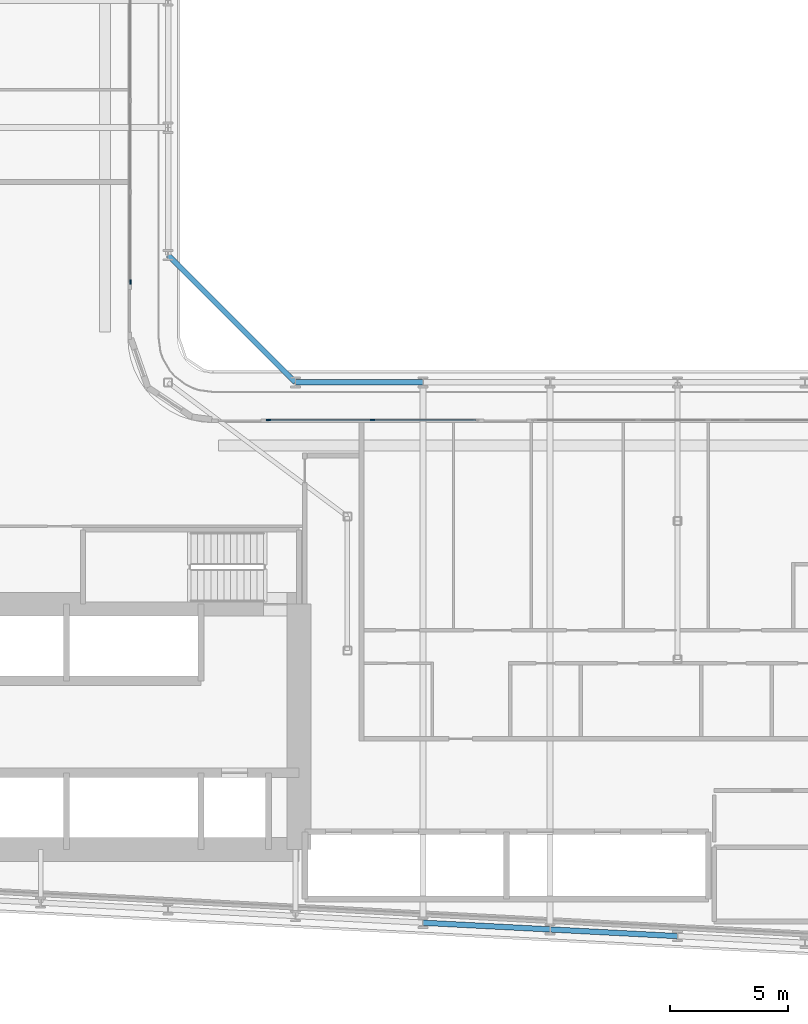
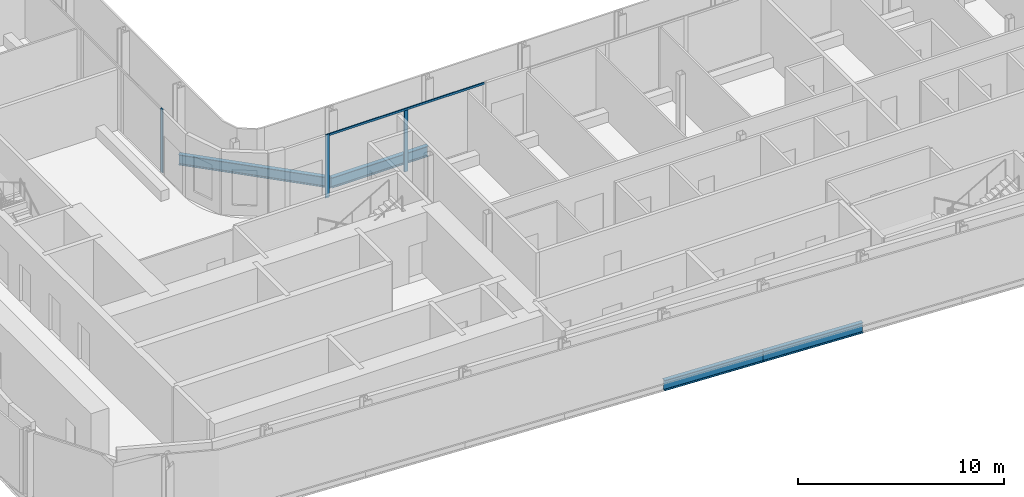
# One storey, part 4 of 27: 4 beams, 4 members, 2 elements without a shape of their own.
"""IFC4 building model written with IfcOpenShell, lengths in metres."""

from ifc_helpers import new_model, si_unit, direction, frame, origin, origin_2d, place, context, subcontext, project, spatial, rectangle, i_section, extrude, material, layer, layer_set, material_profile, profile_set, type_object, element, aggregate, save


model = new_model("IFC4")

# Units and contexts
model_context = context("Model", 3, precision=1e-05, world=origin(), true_north=direction((0.0, 1.0)))
body_context = subcontext(model_context, "Body", "Model", "MODEL_VIEW")
ifc_project = project(units=[si_unit("LENGTHUNIT", "METRE"), si_unit("AREAUNIT", "SQUARE_METRE"), si_unit("VOLUMEUNIT", "CUBIC_METRE"), si_unit("PLANEANGLEUNIT", "RADIAN"), si_unit("MASSUNIT", "GRAM", prefix="KILO")], contexts=[model_context])

# Site, building, storey
site_placement = place(None, origin())
site = spatial("IfcSite", under=ifc_project, at=site_placement, CompositionType="ELEMENT")
building_placement = place(site_placement, origin())
building = spatial("IfcBuilding", under=site, at=building_placement, Name="Kheshtan School and Residences Tower", CompositionType="ELEMENT")
storey_placement = place(building_placement, frame((0.0, 0.0, 50.0)))
storey = spatial("IfcBuildingStorey", under=building, at=storey_placement, Name="L11", CompositionType="ELEMENT", Elevation=50.0)

# Beams
ifc_material_1 = material(Name="Steel ASTM A992 Grade 50", Category="steel")
ifc_material_profile_1 = material_profile(ifc_material_1, i_section(OverallWidth=0.22998046875, OverallDepth=0.616943359375, WebThickness=0.01318359375, FlangeThickness=0.022216796875, FilletRadius=0.0185546875, at=origin_2d()), Name="W610x140")
ifc_profile_set_1 = profile_set([ifc_material_profile_1], Name="Steel ASTM A992 Grade 50")
beam_type = type_object("IfcBeamType", Name="Beam SP1 W610x140 ASTM A992 Grade 50", PredefinedType="BEAM", material=ifc_profile_set_1)
beam_1_placement = place(storey_placement, frame((47.60009765625, 51.0, -0.45849609375), z_axis=(0.707106781187, -0.707106781187, 0.0), x_axis=(0.707106781187, 0.707106781187, 0.0)))
element("IfcBeam", 1, at=beam_1_placement, inside=storey, type_object=beam_type, Name="Spandrel beam C079-C061", PredefinedType="BEAM", context=body_context, shape_type="SweptSolid", body=[
    extrude(i_section(OverallWidth=0.22998046875, OverallDepth=0.616943359375, WebThickness=0.01318359375, FlangeThickness=0.022216796875, FilletRadius=0.0185546875, at=origin_2d()), origin(), (0.0, 0.0, 1.0), 7.63671875),
])
beam_2_placement = place(storey_placement, frame((53.0, 45.60009765625, -0.45849609375), z_axis=(1.0, 0.0, 0.0), x_axis=(0.0, 1.0, 0.0)))
element("IfcBeam", 2, at=beam_2_placement, inside=storey, type_object=beam_type, Name="Spandrel beam C061-C062", PredefinedType="BEAM", context=body_context, shape_type="SweptSolid", body=[
    extrude(i_section(OverallWidth=0.22998046875, OverallDepth=0.616943359375, WebThickness=0.01318359375, FlangeThickness=0.022216796875, FilletRadius=0.0185546875, at=origin_2d()), origin(), (0.0, 0.0, 1.0), 5.39990234375),
])
beam_3_placement = place(storey_placement, frame((69.199951171875, 22.126953125, -0.45849609375), z_axis=(-0.998620447272, 0.05250906864, 0.0), x_axis=(-0.05250906864, -0.998620447272, 0.0)))
element("IfcBeam", 3, at=beam_3_placement, inside=storey, type_object=beam_type, Name="Spandrel beam C014-C016", PredefinedType="BEAM", context=body_context, shape_type="SweptSolid", body=[
    extrude(i_section(OverallWidth=0.22998046875, OverallDepth=0.616943359375, WebThickness=0.01318359375, FlangeThickness=0.022216796875, FilletRadius=0.0185546875, at=origin_2d()), origin(), (0.0, 0.0, 1.0), 5.407470703125),
])
beam_4_placement = place(storey_placement, frame((63.800048828125, 22.410888671875, -0.45849609375), z_axis=(-0.998618203458, 0.052551724256, 0.0), x_axis=(-0.052551724256, -0.998618203458, 0.0)))
element("IfcBeam", 4, at=beam_4_placement, inside=storey, type_object=beam_type, Name="Spandrel beam C016-C018", PredefinedType="BEAM", context=body_context, shape_type="SweptSolid", body=[
    extrude(i_section(OverallWidth=0.22998046875, OverallDepth=0.616943359375, WebThickness=0.01318359375, FlangeThickness=0.022216796875, FilletRadius=0.0185546875, at=origin_2d()), origin(), (0.0, 0.0, 1.0), 5.40771484375),
])

# Curtain wall, member
ifc_material_2 = material(Name="Clear low-e glass in thermally broken aluminium frame", Category="aluminium")
ifc_layer = layer(ifc_material_2, 0.199951171875)
ifc_layer_set = layer_set([ifc_layer], Name="Curtain wall CW-L")
curtain_wall_type = type_object("IfcCurtainWallType", Name="Curtain wall CW-L", PredefinedType="NOTDEFINED", material=ifc_layer_set)
curtain_wall_1_placement = place(storey_placement, origin())
curtain_wall_1 = element("IfcCurtainWall", 5, at=curtain_wall_1_placement, inside=storey, type_object=curtain_wall_type, Name="Curtain wall CWL8", PredefinedType="NOTDEFINED")
ifc_material_3 = material(Name="Thermally broken aluminium, dark bronze anodised", Category="aluminium")
ifc_material_profile_2 = material_profile(ifc_material_3, rectangle(XDim=0.06005859375, YDim=0.199951171875, at=origin_2d()), Name="CW-L mullion 60x200")
ifc_profile_set_2 = profile_set([ifc_material_profile_2], Name="Thermally broken aluminium, dark bronze anodised")
member_type_1 = type_object("IfcMemberType", Name="CW-L mullion 60x200", PredefinedType="MULLION", material=ifc_profile_set_2)
member_1_placement = place(storey_placement, frame((46.0, 49.860107421875, 0.0), z_axis=(0.0, 0.0, 1.0), x_axis=(1.0, 0.0, 0.0)))
member_1 = element("IfcMember", 6, at=member_1_placement, type_object=member_type_1, Name="CWL8 mullion 3", PredefinedType="MULLION", context=body_context, shape_type="SweptSolid", body=[
    extrude(rectangle(XDim=0.06005859375, YDim=0.199951171875, at=origin_2d()), origin(), (0.0, 0.0, 1.0), 3.75),
])
aggregate(curtain_wall_1, [member_1])

# Curtain wall, members
curtain_wall_2_placement = place(storey_placement, origin())
curtain_wall_2 = element("IfcCurtainWall", 7, at=curtain_wall_2_placement, inside=storey, type_object=curtain_wall_type, Name="Curtain wall CWL12f", PredefinedType="NOTDEFINED")
member_2_placement = place(storey_placement, frame((51.860107421875, 44.0, 0.0), z_axis=(0.0, 0.0, 1.0), x_axis=(0.0, 1.0, 0.0)))
member_2 = element("IfcMember", 8, at=member_2_placement, type_object=member_type_1, Name="CWL12f mullion 1", PredefinedType="MULLION", context=body_context, shape_type="SweptSolid", body=[
    extrude(rectangle(XDim=0.06005859375, YDim=0.199951171875, at=origin_2d()), origin(), (0.0, 0.0, 1.0), 3.75),
])
member_3_placement = place(storey_placement, frame((56.263671875, 44.0, 0.0), z_axis=(0.0, 0.0, 1.0), x_axis=(0.0, 1.0, 0.0)))
member_3 = element("IfcMember", 9, at=member_3_placement, type_object=member_type_1, Name="CWL12f mullion 2", PredefinedType="MULLION", context=body_context, shape_type="SweptSolid", body=[
    extrude(rectangle(XDim=0.06005859375, YDim=0.199951171875, at=origin_2d()), origin(), (0.0, 0.0, 1.0), 3.6298828125),
])
ifc_material_profile_3 = material_profile(ifc_material_3, rectangle(XDim=0.06005859375, YDim=0.1201171875, at=origin_2d()), Name="CW-L transom 60x120")
ifc_profile_set_3 = profile_set([ifc_material_profile_3], Name="Thermally broken aluminium, dark bronze anodised")
member_type_2 = type_object("IfcMemberType", Name="CW-L transom 60x120", PredefinedType="USERDEFINED", material=ifc_profile_set_3)
member_4_placement = place(storey_placement, frame((51.889892578125, 44.0, 3.68994140625), z_axis=(1.0, 0.0, 0.0), x_axis=(0.0, 1.0, 0.0)))
member_4 = element("IfcMember", 10, at=member_4_placement, type_object=member_type_2, Name="CWL12f transom 1", ObjectType="TRANSOM", PredefinedType="USERDEFINED", context=body_context, shape_type="SweptSolid", body=[
    extrude(rectangle(XDim=0.06005859375, YDim=0.1201171875, at=origin_2d()), origin(), (0.0, 0.0, 1.0), 8.74755859375),
])
aggregate(curtain_wall_2, [member_2, member_3, member_4])

save(model, "model.ifc")
